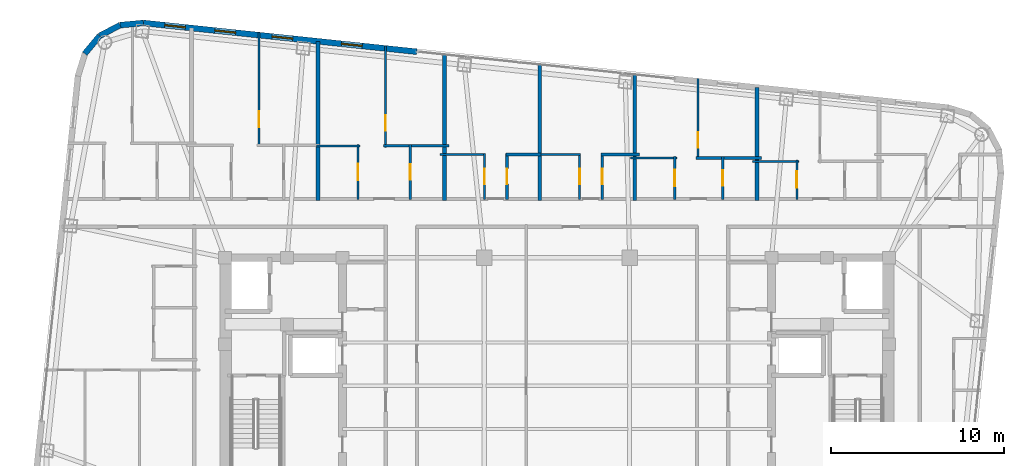
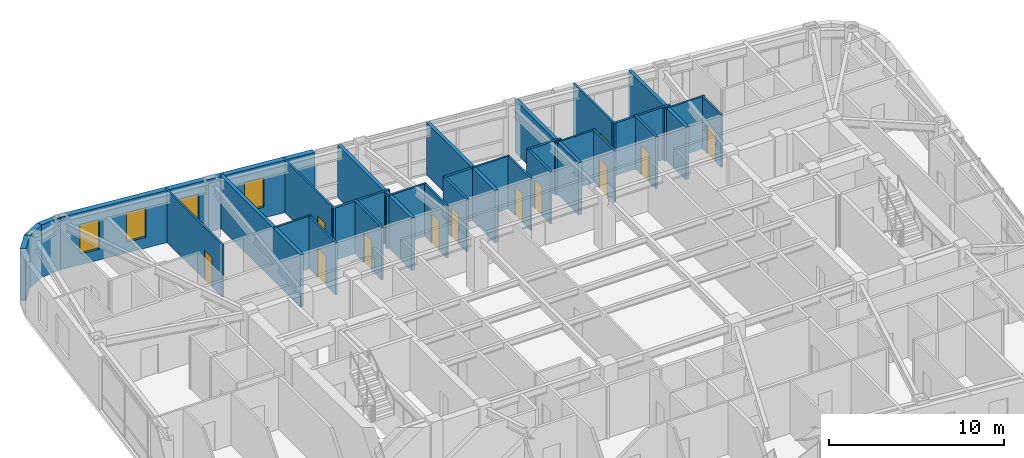
# One storey, part 20 of 23: 30 walls, 12 doors, 4 windows, 16 openings.
"""IFC4 building model written with IfcOpenShell, lengths in metres."""

from ifc_helpers import new_model, si_unit, direction, frame, frame_2d, origin, place, context, subcontext, project, spatial, rectangle, extrude, material, layer, layer_set, type_object, element, fill, save


model = new_model("IFC4")

# Units and contexts
model_context = context("Model", 3, precision=1e-05, world=origin(), true_north=direction((0.0, 1.0)))
body_context = subcontext(model_context, "Body", "Model", "MODEL_VIEW")
ifc_project = project(units=[si_unit("LENGTHUNIT", "METRE"), si_unit("AREAUNIT", "SQUARE_METRE"), si_unit("VOLUMEUNIT", "CUBIC_METRE"), si_unit("PLANEANGLEUNIT", "RADIAN"), si_unit("MASSUNIT", "GRAM", prefix="KILO")], contexts=[model_context])

# Site, building, storey
site_placement = place(None, origin())
site = spatial("IfcSite", under=ifc_project, at=site_placement, CompositionType="ELEMENT")
building_placement = place(site_placement, origin())
building = spatial("IfcBuilding", under=site, at=building_placement, Name="Voryun Gate Residences", CompositionType="ELEMENT")
storey_placement = place(building_placement, frame((0.0, 0.0, 275.60009765625)))
storey = spatial("IfcBuildingStorey", under=building, at=storey_placement, Name="L68", CompositionType="ELEMENT", Elevation=275.60009765625)

# Walls
ifc_material_1 = material(Name="Charcoal terracotta masonry", Category="masonry")
ifc_layer_1 = layer(ifc_material_1, 0.340087890625, Name="W_EXT_TERRACOTTA_340")
ifc_layer_set_1 = layer_set([ifc_layer_1], Name="Charcoal terracotta masonry")
wall_type_1 = type_object("IfcWallType", Name="W_EXT_TERRACOTTA_340", PredefinedType="ELEMENTEDWALL", material=ifc_layer_set_1)
wall_1_placement = place(storey_placement, frame((-27.29443359375, 19.19775390625, 0.0), z_axis=(0.0, 0.0, 1.0), x_axis=(0.639501603217, 0.768789762863, 0.0)))
element("IfcWall", 1, at=wall_1_placement, inside=storey, type_object=wall_type_1, Name="Exterior wall WEXT-L68-08", PredefinedType="ELEMENTEDWALL", context=body_context, shape_type="SweptSolid", body=[
    extrude(rectangle(XDim=1.3369140625, YDim=0.340087890625, at=frame_2d((0.66845703125, 0.0))), origin(), (0.0, 0.0, 1.0), 3.64990234375),
])
wall_2_placement = place(storey_placement, frame((-26.439453125, 20.2255859375, 0.0), z_axis=(0.0, 0.0, 1.0), x_axis=(0.884922182678, 0.465738908193, 0.0)))
element("IfcWall", 2, at=wall_2_placement, inside=storey, type_object=wall_type_1, Name="Exterior wall WEXT-L68-09", PredefinedType="ELEMENTEDWALL", context=body_context, shape_type="SweptSolid", body=[
    extrude(rectangle(XDim=1.337158203125, YDim=0.340087890625, at=frame_2d((0.66845703125, 0.0))), origin(), (0.0, 0.0, 1.0), 3.64990234375),
])
wall_3_placement = place(storey_placement, frame((-25.256103515625, 20.848388671875, 0.0), z_axis=(0.0, 0.0, 1.0), x_axis=(0.995813013343, 0.091413579172, 0.0)))
element("IfcWall", 3, at=wall_3_placement, inside=storey, type_object=wall_type_1, Name="Exterior wall WEXT-L68-10", PredefinedType="ELEMENTEDWALL", context=body_context, shape_type="SweptSolid", body=[
    extrude(rectangle(XDim=1.35400390625, YDim=0.340087890625, at=frame_2d((0.677001953125, 0.0))), origin(), (0.0, 0.0, 1.0), 3.64990234375),
])

# Wall, openings, windows
wall_4_placement = place(storey_placement, frame((-23.90771484375, 20.97216796875, 0.0), z_axis=(0.0, 0.0, 1.0), x_axis=(0.994521594531, -0.104531325504, 0.0)))
wall_4 = element("IfcWall", 4, at=wall_4_placement, inside=storey, type_object=wall_type_1, Name="Exterior wall WEXT-L68-11A", PredefinedType="ELEMENTEDWALL", context=body_context, shape_type="SweptSolid", body=[
    extrude(rectangle(XDim=15.900634765625, YDim=0.340087890625, at=frame_2d((7.9501953125, 0.0))), origin(), (0.0, 0.0, 1.0), 3.64990234375),
])
opening_1_placement = place(wall_4_placement, frame((1.242919921875, 0.0, 0.75)))
opening_1 = element("IfcOpeningElement", 5, at=opening_1_placement, cuts=wall_4, Name="Opening WN6", PredefinedType="OPENING", context=body_context, shape_type="SweptSolid", body=[
    extrude(rectangle(XDim=1.199951171875, YDim=2.050048828125, at=frame_2d((0.60009765625, 1.02490234375))), frame((0.0, 0.179931640625, 0.0), z_axis=(0.0, -1.0, 0.0), x_axis=(1.0, 0.0, 0.0)), (0.0, 0.0, 1.0), 0.360107421875),
])
opening_2_placement = place(wall_4_placement, frame((4.156982421875, 0.0, 0.75)))
opening_2 = element("IfcOpeningElement", 6, at=opening_2_placement, cuts=wall_4, Name="Opening WN6", PredefinedType="OPENING", context=body_context, shape_type="SweptSolid", body=[
    extrude(rectangle(XDim=1.199951171875, YDim=2.050048828125, at=frame_2d((0.60009765625, 1.02490234375))), frame((0.0, 0.179931640625, 0.0), z_axis=(0.0, -1.0, 0.0), x_axis=(1.0, 0.0, 0.0)), (0.0, 0.0, 1.0), 0.360107421875),
])
opening_3_placement = place(wall_4_placement, frame((7.475341796875, 0.0, 0.75)))
opening_3 = element("IfcOpeningElement", 7, at=opening_3_placement, cuts=wall_4, Name="Opening WN6", PredefinedType="OPENING", context=body_context, shape_type="SweptSolid", body=[
    extrude(rectangle(XDim=1.199951171875, YDim=2.050048828125, at=frame_2d((0.60009765625, 1.02490234375))), frame((0.0, 0.179931640625, 0.0), z_axis=(0.0, -1.0, 0.0), x_axis=(1.0, 0.0, 0.0)), (0.0, 0.0, 1.0), 0.360107421875),
])
opening_4_placement = place(wall_4_placement, frame((11.513427734375, 0.0, 0.75)))
opening_4 = element("IfcOpeningElement", 8, at=opening_4_placement, cuts=wall_4, Name="Opening WN6", PredefinedType="OPENING", context=body_context, shape_type="SweptSolid", body=[
    extrude(rectangle(XDim=1.199951171875, YDim=2.050048828125, at=frame_2d((0.60009765625, 1.02490234375))), frame((0.0, 0.179931640625, 0.0), z_axis=(0.0, -1.0, 0.0), x_axis=(1.0, 0.0, 0.0)), (0.0, 0.0, 1.0), 0.360107421875),
])
ifc_material_2 = material(Name="Laminated low-E glass", Category="glass")
window_type = type_object("IfcWindowType", Name="WN_POD_SLOT_1200", PartitioningType="SINGLE_PANEL", PredefinedType="WINDOW", material=ifc_material_2)
window_1_placement = place(opening_1_placement, origin())
window_1 = element("IfcWindow", 9, at=window_1_placement, inside=storey, type_object=window_type, Name="Window WN-L68-DWFIX-02", OverallHeight=2.050048828125, OverallWidth=1.199951171875, PartitioningType="SINGLE_PANEL", PredefinedType="WINDOW", context=body_context, shape_type="SweptSolid", body=[
    extrude(rectangle(XDim=1.199951171875, YDim=2.050048828125, at=frame_2d((0.60009765625, 1.02490234375))), frame((0.0, 0.030029296875, 0.0), z_axis=(0.0, -1.0, 0.0), x_axis=(1.0, 0.0, 0.0)), (0.0, 0.0, 1.0), 0.06005859375),
])
fill(opening_1, window_1)
window_2_placement = place(opening_2_placement, origin())
window_2 = element("IfcWindow", 10, at=window_2_placement, inside=storey, type_object=window_type, Name="Window WN-L68-DWFIX-03", OverallHeight=2.050048828125, OverallWidth=1.199951171875, PartitioningType="SINGLE_PANEL", PredefinedType="WINDOW", context=body_context, shape_type="SweptSolid", body=[
    extrude(rectangle(XDim=1.199951171875, YDim=2.050048828125, at=frame_2d((0.60009765625, 1.02490234375))), frame((0.0, 0.030029296875, 0.0), z_axis=(0.0, -1.0, 0.0), x_axis=(1.0, 0.0, 0.0)), (0.0, 0.0, 1.0), 0.06005859375),
])
fill(opening_2, window_2)
window_3_placement = place(opening_3_placement, origin())
window_3 = element("IfcWindow", 11, at=window_3_placement, inside=storey, type_object=window_type, Name="Window WN-L68-DWFIX-04", OverallHeight=2.050048828125, OverallWidth=1.199951171875, PartitioningType="SINGLE_PANEL", PredefinedType="WINDOW", context=body_context, shape_type="SweptSolid", body=[
    extrude(rectangle(XDim=1.199951171875, YDim=2.050048828125, at=frame_2d((0.60009765625, 1.02490234375))), frame((0.0, 0.030029296875, 0.0), z_axis=(0.0, -1.0, 0.0), x_axis=(1.0, 0.0, 0.0)), (0.0, 0.0, 1.0), 0.06005859375),
])
fill(opening_3, window_3)
window_4_placement = place(opening_4_placement, origin())
window_4 = element("IfcWindow", 12, at=window_4_placement, inside=storey, type_object=window_type, Name="Window WN-L68-DWFIX-05", OverallHeight=2.050048828125, OverallWidth=1.199951171875, PartitioningType="SINGLE_PANEL", PredefinedType="WINDOW", context=body_context, shape_type="SweptSolid", body=[
    extrude(rectangle(XDim=1.199951171875, YDim=2.050048828125, at=frame_2d((0.60009765625, 1.02490234375))), frame((0.0, 0.030029296875, 0.0), z_axis=(0.0, -1.0, 0.0), x_axis=(1.0, 0.0, 0.0)), (0.0, 0.0, 1.0), 0.06005859375),
])
fill(opening_4, window_4)

# Walls
ifc_material_3 = material(Name="Concrete C40/50", Category="concrete")
ifc_layer_2 = layer(ifc_material_3, 0.219970703125, Name="W_PARTY_ACOUSTIC_220")
ifc_layer_set_2 = layer_set([ifc_layer_2], Name="Concrete C40/50")
wall_type_2 = type_object("IfcWallType", Name="W_PARTY_ACOUSTIC_220", PredefinedType="PARTITIONING", material=ifc_layer_set_2)
wall_5_placement = place(storey_placement, frame((-13.81591796875, 10.719970703125, 0.0), z_axis=(0.0, 0.0, 1.0), x_axis=(0.0, 1.0, 0.0)))
element("IfcWall", 13, at=wall_5_placement, inside=storey, type_object=wall_type_2, Name="Partition wall WP-L68-NPTY-2", PredefinedType="PARTITIONING", context=body_context, shape_type="SweptSolid", body=[
    extrude(rectangle(XDim=9.191650390625, YDim=0.219970703125, at=frame_2d((4.595703125, 0.0))), origin(), (0.0, 0.0, 1.0), 3.64990234375),
])
wall_6_placement = place(storey_placement, frame((-6.5, 10.719970703125, 0.0), z_axis=(0.0, 0.0, 1.0), x_axis=(0.0, 1.0, 0.0)))
element("IfcWall", 14, at=wall_6_placement, inside=storey, type_object=wall_type_2, Name="Partition wall WP-L68-NPTY-3", PredefinedType="PARTITIONING", context=body_context, shape_type="SweptSolid", body=[
    extrude(rectangle(XDim=8.422607421875, YDim=0.219970703125, at=frame_2d((4.21142578125, 0.0))), origin(), (0.0, 0.0, 1.0), 3.64990234375),
])
wall_7_placement = place(storey_placement, frame((-1.0, 10.719970703125, 0.0), z_axis=(0.0, 0.0, 1.0), x_axis=(0.0, 1.0, 0.0)))
element("IfcWall", 15, at=wall_7_placement, inside=storey, type_object=wall_type_2, Name="Partition wall WP-L68-NPTY-4", PredefinedType="PARTITIONING", context=body_context, shape_type="SweptSolid", body=[
    extrude(rectangle(XDim=7.844482421875, YDim=0.219970703125, at=frame_2d((3.92236328125, 0.0))), origin(), (0.0, 0.0, 1.0), 3.64990234375),
])
wall_8_placement = place(storey_placement, frame((4.5, 10.719970703125, 0.0), z_axis=(0.0, 0.0, 1.0), x_axis=(0.0, 1.0, 0.0)))
element("IfcWall", 16, at=wall_8_placement, inside=storey, type_object=wall_type_2, Name="Partition wall WP-L68-NPTY-5", PredefinedType="PARTITIONING", context=body_context, shape_type="SweptSolid", body=[
    extrude(rectangle(XDim=7.266357421875, YDim=0.219970703125, at=frame_2d((3.63330078125, 0.0))), origin(), (0.0, 0.0, 1.0), 3.64990234375),
])
wall_9_placement = place(storey_placement, frame((11.55908203125, 10.719970703125, 0.0), z_axis=(0.0, 0.0, 1.0), x_axis=(0.0, 1.0, 0.0)))
element("IfcWall", 17, at=wall_9_placement, inside=storey, type_object=wall_type_2, Name="Partition wall WP-L68-NPTY-6", PredefinedType="PARTITIONING", context=body_context, shape_type="SweptSolid", body=[
    extrude(rectangle(XDim=6.5244140625, YDim=0.219970703125, at=frame_2d((3.26220703125, 0.0))), origin(), (0.0, 0.0, 1.0), 3.64990234375),
])

# Wall, opening, door
ifc_material_4 = material(Name="Gypsum acoustic partition")
ifc_layer_3 = layer(ifc_material_4, 0.125, Name="W_UNIT_PART_125")
ifc_layer_set_3 = layer_set([ifc_layer_3], Name="Gypsum acoustic partition")
wall_type_3 = type_object("IfcWallType", Name="W_UNIT_PART_125", PredefinedType="PARTITIONING", material=ifc_layer_set_3)
wall_10_placement = place(storey_placement, frame((-17.22607421875, 13.822021484375, 0.0), z_axis=(0.0, 0.0, 1.0), x_axis=(0.0, 1.0, 0.0)))
wall_10 = element("IfcWall", 18, at=wall_10_placement, inside=storey, type_object=wall_type_3, Name="Partition wall WP-L68-N2-OVR", PredefinedType="PARTITIONING", context=body_context, shape_type="SweptSolid", body=[
    extrude(rectangle(XDim=6.5986328125, YDim=0.125, at=frame_2d((3.29931640625, 0.0))), origin(), (0.0, 0.0, 1.0), 3.64990234375),
])
opening_5_placement = place(wall_10_placement, frame((1.1337890625, 0.0, 0.0)))
opening_5 = element("IfcOpeningElement", 19, at=opening_5_placement, cuts=wall_10, Name="Opening D-INT-2", PredefinedType="OPENING", context=body_context, shape_type="SweptSolid", body=[
    extrude(rectangle(XDim=0.89990234375, YDim=2.050048828125, at=frame_2d((0.449951171875, 1.02490234375))), frame((0.0, 0.072509765625, 0.0), z_axis=(0.0, -1.0, 0.0), x_axis=(1.0, 0.0, 0.0)), (0.0, 0.0, 1.0), 0.14501953125),
])
ifc_material_5 = material(Name="Architectural oak veneer")
door_type_1 = type_object("IfcDoorType", Name="DR_INT_BATH_900", OperationType="NOTDEFINED", PredefinedType="DOOR", material=ifc_material_5)
door_1_placement = place(opening_5_placement, origin())
door_1 = element("IfcDoor", 20, at=door_1_placement, inside=storey, type_object=door_type_1, Name="Door DR-L68-N2-DMB", OperationType="SINGLE_SWING_RIGHT", OverallHeight=2.050048828125, OverallWidth=0.89990234375, PredefinedType="DOOR", context=body_context, shape_type="SweptSolid", body=[
    extrude(rectangle(XDim=0.89990234375, YDim=2.050048828125, at=frame_2d((0.449951171875, 1.02490234375))), frame((0.0, 0.02490234375, 0.0), z_axis=(0.0, -1.0, 0.0), x_axis=(1.0, 0.0, 0.0)), (0.0, 0.0, 1.0), 0.050048828125),
])
fill(opening_5, door_1)

wall_11_placement = place(storey_placement, frame((-9.909912109375, 13.785888671875, 0.0), z_axis=(0.0, 0.0, 1.0), x_axis=(0.0, 1.0, 0.0)))
wall_11 = element("IfcWall", 21, at=wall_11_placement, inside=storey, type_object=wall_type_3, Name="Partition wall WP-L68-N3-OVR", PredefinedType="PARTITIONING", context=body_context, shape_type="SweptSolid", body=[
    extrude(rectangle(XDim=5.865966796875, YDim=0.125, at=frame_2d((2.93310546875, 0.0))), origin(), (0.0, 0.0, 1.0), 3.64990234375),
])
opening_6_placement = place(wall_11_placement, frame((0.957763671875, 0.0, 0.0)))
opening_6 = element("IfcOpeningElement", 22, at=opening_6_placement, cuts=wall_11, Name="Opening D-INT-2", PredefinedType="OPENING", context=body_context, shape_type="SweptSolid", body=[
    extrude(rectangle(XDim=0.89990234375, YDim=2.050048828125, at=frame_2d((0.449951171875, 1.02490234375))), frame((0.0, 0.072509765625, 0.0), z_axis=(0.0, -1.0, 0.0), x_axis=(1.0, 0.0, 0.0)), (0.0, 0.0, 1.0), 0.14501953125),
])
door_2_placement = place(opening_6_placement, origin())
door_2 = element("IfcDoor", 23, at=door_2_placement, inside=storey, type_object=door_type_1, Name="Door DR-L68-N3-DMB", OperationType="SINGLE_SWING_RIGHT", OverallHeight=2.050048828125, OverallWidth=0.89990234375, PredefinedType="DOOR", context=body_context, shape_type="SweptSolid", body=[
    extrude(rectangle(XDim=0.89990234375, YDim=2.050048828125, at=frame_2d((0.449951171875, 1.02490234375))), frame((0.0, 0.02490234375, 0.0), z_axis=(0.0, -1.0, 0.0), x_axis=(1.0, 0.0, 0.0)), (0.0, 0.0, 1.0), 0.050048828125),
])
fill(opening_6, door_2)

wall_12_placement = place(storey_placement, frame((-11.506103515625, 10.780029296875, 0.0), z_axis=(0.0, 0.0, 1.0), x_axis=(0.0, 1.0, 0.0)))
wall_12 = element("IfcWall", 24, at=wall_12_placement, inside=storey, type_object=wall_type_3, Name="Partition wall WP-L68-N3-IVK", PredefinedType="PARTITIONING", context=body_context, shape_type="SweptSolid", body=[
    extrude(rectangle(XDim=3.166015625, YDim=0.125, at=frame_2d((1.5830078125, 0.0))), origin(), (0.0, 0.0, 1.0), 3.64990234375),
])
opening_7_placement = place(wall_12_placement, frame((1.10791015625, 0.0, 0.0)))
opening_7 = element("IfcOpeningElement", 25, at=opening_7_placement, cuts=wall_12, Name="Opening D-INT-1", PredefinedType="OPENING", context=body_context, shape_type="SweptSolid", body=[
    extrude(rectangle(XDim=0.949951171875, YDim=2.050048828125, at=frame_2d((0.47509765625, 1.02490234375))), frame((0.0, 0.072509765625, 0.0), z_axis=(0.0, -1.0, 0.0), x_axis=(1.0, 0.0, 0.0)), (0.0, 0.0, 1.0), 0.14501953125),
])
ifc_material_6 = material(Name="Architectural oak veneer")
door_type_2 = type_object("IfcDoorType", Name="DR_INT_ROOM_950", OperationType="NOTDEFINED", PredefinedType="DOOR", material=ifc_material_6)
door_3_placement = place(opening_7_placement, origin())
door_3 = element("IfcDoor", 26, at=door_3_placement, inside=storey, type_object=door_type_2, Name="Door DR-L68-N3-DK", OperationType="SINGLE_SWING_LEFT", OverallHeight=2.050048828125, OverallWidth=0.949951171875, PredefinedType="DOOR", context=body_context, shape_type="SweptSolid", body=[
    extrude(rectangle(XDim=0.949951171875, YDim=2.050048828125, at=frame_2d((0.47509765625, 1.02490234375))), frame((0.0, 0.02490234375, 0.0), z_axis=(0.0, -1.0, 0.0), x_axis=(1.0, 0.0, 0.0)), (0.0, 0.0, 1.0), 0.050048828125),
])
fill(opening_7, door_3)

# Wall
wall_13_placement = place(storey_placement, frame((-13.89111328125, 13.865966796875, 0.0), z_axis=(0.0, 0.0, 1.0), x_axis=(1.0, 0.0, 0.0)))
element("IfcWall", 27, at=wall_13_placement, inside=storey, type_object=wall_type_3, Name="Partition wall WP-L68-N3-HZK", PredefinedType="PARTITIONING", context=body_context, shape_type="SweptSolid", body=[
    extrude(rectangle(XDim=2.505126953125, YDim=0.125, at=frame_2d((1.25244140625, 0.0))), origin(), (0.0, 0.0, 1.0), 3.64990234375),
])

# Wall, opening, door
wall_14_placement = place(storey_placement, frame((-4.18994140625, 10.780029296875, 0.0), z_axis=(0.0, 0.0, 1.0), x_axis=(0.0, 1.0, 0.0)))
wall_14 = element("IfcWall", 28, at=wall_14_placement, inside=storey, type_object=wall_type_3, Name="Partition wall WP-L68-N4-CVK", PredefinedType="PARTITIONING", context=body_context, shape_type="SweptSolid", body=[
    extrude(rectangle(XDim=2.64990234375, YDim=0.125, at=frame_2d((1.324951171875, 0.0))), origin(), (0.0, 0.0, 1.0), 3.64990234375),
])
opening_8_placement = place(wall_14_placement, frame((0.875, 0.0, 0.0)))
opening_8 = element("IfcOpeningElement", 29, at=opening_8_placement, cuts=wall_14, Name="Opening D-INT-2", PredefinedType="OPENING", context=body_context, shape_type="SweptSolid", body=[
    extrude(rectangle(XDim=0.89990234375, YDim=2.050048828125, at=frame_2d((0.449951171875, 1.02490234375))), frame((0.0, 0.072509765625, 0.0), z_axis=(0.0, -1.0, 0.0), x_axis=(1.0, 0.0, 0.0)), (0.0, 0.0, 1.0), 0.14501953125),
])
door_4_placement = place(opening_8_placement, origin())
door_4 = element("IfcDoor", 30, at=door_4_placement, inside=storey, type_object=door_type_1, Name="Door DR-L68-N4-DK", OperationType="SINGLE_SWING_LEFT", OverallHeight=2.050048828125, OverallWidth=0.89990234375, PredefinedType="DOOR", context=body_context, shape_type="SweptSolid", body=[
    extrude(rectangle(XDim=0.89990234375, YDim=2.050048828125, at=frame_2d((0.449951171875, 1.02490234375))), frame((0.0, 0.02490234375, 0.0), z_axis=(0.0, -1.0, 0.0), x_axis=(1.0, 0.0, 0.0)), (0.0, 0.0, 1.0), 0.050048828125),
])
fill(opening_8, door_4)

# Wall
wall_15_placement = place(storey_placement, frame((-6.760009765625, 13.3701171875, 0.0), z_axis=(0.0, 0.0, 1.0), x_axis=(1.0, 0.0, 0.0)))
element("IfcWall", 31, at=wall_15_placement, inside=storey, type_object=wall_type_3, Name="Partition wall WP-L68-N4-CHK", PredefinedType="PARTITIONING", context=body_context, shape_type="SweptSolid", body=[
    extrude(rectangle(XDim=2.630126953125, YDim=0.125, at=frame_2d((1.31494140625, 0.0))), origin(), (0.0, 0.0, 1.0), 3.64990234375),
])

# Wall, opening, door
wall_16_placement = place(storey_placement, frame((1.31005859375, 10.780029296875, 0.0), z_axis=(0.0, 0.0, 1.0), x_axis=(0.0, 1.0, 0.0)))
wall_16 = element("IfcWall", 32, at=wall_16_placement, inside=storey, type_object=wall_type_3, Name="Partition wall WP-L68-N5-CVK", PredefinedType="PARTITIONING", context=body_context, shape_type="SweptSolid", body=[
    extrude(rectangle(XDim=2.64990234375, YDim=0.125, at=frame_2d((1.324951171875, 0.0))), origin(), (0.0, 0.0, 1.0), 3.64990234375),
])
opening_9_placement = place(wall_16_placement, frame((0.875, 0.0, 0.0)))
opening_9 = element("IfcOpeningElement", 33, at=opening_9_placement, cuts=wall_16, Name="Opening D-INT-2", PredefinedType="OPENING", context=body_context, shape_type="SweptSolid", body=[
    extrude(rectangle(XDim=0.89990234375, YDim=2.050048828125, at=frame_2d((0.449951171875, 1.02490234375))), frame((0.0, 0.072509765625, 0.0), z_axis=(0.0, -1.0, 0.0), x_axis=(1.0, 0.0, 0.0)), (0.0, 0.0, 1.0), 0.14501953125),
])
door_5_placement = place(opening_9_placement, origin())
door_5 = element("IfcDoor", 34, at=door_5_placement, inside=storey, type_object=door_type_1, Name="Door DR-L68-N5-DK", OperationType="SINGLE_SWING_LEFT", OverallHeight=2.050048828125, OverallWidth=0.89990234375, PredefinedType="DOOR", context=body_context, shape_type="SweptSolid", body=[
    extrude(rectangle(XDim=0.89990234375, YDim=2.050048828125, at=frame_2d((0.449951171875, 1.02490234375))), frame((0.0, 0.02490234375, 0.0), z_axis=(0.0, -1.0, 0.0), x_axis=(1.0, 0.0, 0.0)), (0.0, 0.0, 1.0), 0.050048828125),
])
fill(opening_9, door_5)

# Wall
wall_17_placement = place(storey_placement, frame((-1.074951171875, 13.3701171875, 0.0), z_axis=(0.0, 0.0, 1.0), x_axis=(1.0, 0.0, 0.0)))
element("IfcWall", 35, at=wall_17_placement, inside=storey, type_object=wall_type_3, Name="Partition wall WP-L68-N5-CHK", PredefinedType="PARTITIONING", context=body_context, shape_type="SweptSolid", body=[
    extrude(rectangle(XDim=2.445068359375, YDim=0.125, at=frame_2d((1.22265625, 0.0))), origin(), (0.0, 0.0, 1.0), 3.64990234375),
])

# Wall, opening, door
wall_18_placement = place(storey_placement, frame((8.14892578125, 13.0869140625, 0.0), z_axis=(0.0, 0.0, 1.0), x_axis=(0.0, 1.0, 0.0)))
wall_18 = element("IfcWall", 36, at=wall_18_placement, inside=storey, type_object=wall_type_3, Name="Partition wall WP-L68-N6-OVR", PredefinedType="PARTITIONING", context=body_context, shape_type="SweptSolid", body=[
    extrude(rectangle(XDim=4.666748046875, YDim=0.125, at=frame_2d((2.33349609375, 0.0))), origin(), (0.0, 0.0, 1.0), 3.64990234375),
])
opening_10_placement = place(wall_18_placement, frame((0.669921875, 0.0, 0.0)))
opening_10 = element("IfcOpeningElement", 37, at=opening_10_placement, cuts=wall_18, Name="Opening D-INT-2", PredefinedType="OPENING", context=body_context, shape_type="SweptSolid", body=[
    extrude(rectangle(XDim=0.89990234375, YDim=2.050048828125, at=frame_2d((0.449951171875, 1.02490234375))), frame((0.0, 0.072509765625, 0.0), z_axis=(0.0, -1.0, 0.0), x_axis=(1.0, 0.0, 0.0)), (0.0, 0.0, 1.0), 0.14501953125),
])
door_6_placement = place(opening_10_placement, origin())
door_6 = element("IfcDoor", 38, at=door_6_placement, inside=storey, type_object=door_type_1, Name="Door DR-L68-N6-DMB", OperationType="SINGLE_SWING_RIGHT", OverallHeight=2.050048828125, OverallWidth=0.89990234375, PredefinedType="DOOR", context=body_context, shape_type="SweptSolid", body=[
    extrude(rectangle(XDim=0.89990234375, YDim=2.050048828125, at=frame_2d((0.449951171875, 1.02490234375))), frame((0.0, 0.02490234375, 0.0), z_axis=(0.0, -1.0, 0.0), x_axis=(1.0, 0.0, 0.0)), (0.0, 0.0, 1.0), 0.050048828125),
])
fill(opening_10, door_6)

wall_19_placement = place(storey_placement, frame((6.81005859375, 10.780029296875, 0.0), z_axis=(0.0, 0.0, 1.0), x_axis=(0.0, 1.0, 0.0)))
wall_19 = element("IfcWall", 39, at=wall_19_placement, inside=storey, type_object=wall_type_3, Name="Partition wall WP-L68-N6-IVK", PredefinedType="PARTITIONING", context=body_context, shape_type="SweptSolid", body=[
    extrude(rectangle(XDim=2.467041015625, YDim=0.125, at=frame_2d((1.2333984375, 0.0))), origin(), (0.0, 0.0, 1.0), 3.64990234375),
])
opening_11_placement = place(wall_19_placement, frame((0.758544921875, 0.0, 0.0)))
opening_11 = element("IfcOpeningElement", 40, at=opening_11_placement, cuts=wall_19, Name="Opening D-INT-1", PredefinedType="OPENING", context=body_context, shape_type="SweptSolid", body=[
    extrude(rectangle(XDim=0.949951171875, YDim=2.050048828125, at=frame_2d((0.47509765625, 1.02490234375))), frame((0.0, 0.072509765625, 0.0), z_axis=(0.0, -1.0, 0.0), x_axis=(1.0, 0.0, 0.0)), (0.0, 0.0, 1.0), 0.14501953125),
])
door_7_placement = place(opening_11_placement, origin())
door_7 = element("IfcDoor", 41, at=door_7_placement, inside=storey, type_object=door_type_2, Name="Door DR-L68-N6-DK", OperationType="SINGLE_SWING_LEFT", OverallHeight=2.050048828125, OverallWidth=0.949951171875, PredefinedType="DOOR", context=body_context, shape_type="SweptSolid", body=[
    extrude(rectangle(XDim=0.949951171875, YDim=2.050048828125, at=frame_2d((0.47509765625, 1.02490234375))), frame((0.0, 0.02490234375, 0.0), z_axis=(0.0, -1.0, 0.0), x_axis=(1.0, 0.0, 0.0)), (0.0, 0.0, 1.0), 0.050048828125),
])
fill(opening_11, door_7)

# Wall
wall_20_placement = place(storey_placement, frame((4.239990234375, 13.1669921875, 0.0), z_axis=(0.0, 0.0, 1.0), x_axis=(1.0, 0.0, 0.0)))
element("IfcWall", 42, at=wall_20_placement, inside=storey, type_object=wall_type_3, Name="Partition wall WP-L68-N6-HZK", PredefinedType="PARTITIONING", context=body_context, shape_type="SweptSolid", body=[
    extrude(rectangle(XDim=2.68994140625, YDim=0.125, at=frame_2d((1.344970703125, 0.0))), origin(), (0.0, 0.0, 1.0), 3.64990234375),
])

# Wall, opening, door
wall_21_placement = place(storey_placement, frame((13.868896484375, 10.780029296875, 0.0), z_axis=(0.0, 0.0, 1.0), x_axis=(0.0, 1.0, 0.0)))
wall_21 = element("IfcWall", 43, at=wall_21_placement, inside=storey, type_object=wall_type_3, Name="Partition wall WP-L68-N7-IVK", PredefinedType="PARTITIONING", context=body_context, shape_type="SweptSolid", body=[
    extrude(rectangle(XDim=2.27001953125, YDim=0.125, at=frame_2d((1.135009765625, 0.0))), origin(), (0.0, 0.0, 1.0), 3.64990234375),
])
opening_12_placement = place(wall_21_placement, frame((0.659912109375, 0.0, 0.0)))
opening_12 = element("IfcOpeningElement", 44, at=opening_12_placement, cuts=wall_21, Name="Opening D-INT-1", PredefinedType="OPENING", context=body_context, shape_type="SweptSolid", body=[
    extrude(rectangle(XDim=0.949951171875, YDim=2.050048828125, at=frame_2d((0.47509765625, 1.02490234375))), frame((0.0, 0.072509765625, 0.0), z_axis=(0.0, -1.0, 0.0), x_axis=(1.0, 0.0, 0.0)), (0.0, 0.0, 1.0), 0.14501953125),
])
door_8_placement = place(opening_12_placement, origin())
door_8 = element("IfcDoor", 45, at=door_8_placement, inside=storey, type_object=door_type_2, Name="Door DR-L68-N7-DK", OperationType="SINGLE_SWING_LEFT", OverallHeight=2.050048828125, OverallWidth=0.949951171875, PredefinedType="DOOR", context=body_context, shape_type="SweptSolid", body=[
    extrude(rectangle(XDim=0.949951171875, YDim=2.050048828125, at=frame_2d((0.47509765625, 1.02490234375))), frame((0.0, 0.02490234375, 0.0), z_axis=(0.0, -1.0, 0.0), x_axis=(1.0, 0.0, 0.0)), (0.0, 0.0, 1.0), 0.050048828125),
])
fill(opening_12, door_8)

# Walls
wall_22_placement = place(storey_placement, frame((11.299072265625, 12.969970703125, 0.0), z_axis=(0.0, 0.0, 1.0), x_axis=(1.0, 0.0, 0.0)))
element("IfcWall", 46, at=wall_22_placement, inside=storey, type_object=wall_type_3, Name="Partition wall WP-L68-N7-HZK", PredefinedType="PARTITIONING", context=body_context, shape_type="SweptSolid", body=[
    extrude(rectangle(XDim=2.68994140625, YDim=0.125, at=frame_2d((1.344970703125, 0.0))), origin(), (0.0, 0.0, 1.0), 3.64990234375),
])
ifc_material_7 = material(Name="Gypsum moisture-resistant partition")
ifc_layer_4 = layer(ifc_material_7, 0.14990234375, Name="W_WET_PLUMB_150")
ifc_layer_set_4 = layer_set([ifc_layer_4], Name="Gypsum moisture-resistant partition")
wall_type_4 = type_object("IfcWallType", Name="W_WET_PLUMB_150", PredefinedType="PLUMBINGWALL", material=ifc_layer_set_4)
wall_23_placement = place(storey_placement, frame((-10.030029296875, 13.865966796875, 0.0), z_axis=(0.0, 0.0, 1.0), x_axis=(1.0, 0.0, 0.0)))
element("IfcWall", 47, at=wall_23_placement, inside=storey, type_object=wall_type_4, Name="Partition wall WP-L68-N3-HZB", PredefinedType="PLUMBINGWALL", context=body_context, shape_type="SweptSolid", body=[
    extrude(rectangle(XDim=3.7900390625, YDim=0.14990234375, at=frame_2d((1.89501953125, 0.0))), origin(), (0.0, 0.0, 1.0), 3.64990234375),
])

# Wall, opening, door
wall_24_placement = place(storey_placement, frame((-8.47998046875, 10.780029296875, 0.0), z_axis=(0.0, 0.0, 1.0), x_axis=(0.0, 1.0, 0.0)))
wall_24 = element("IfcWall", 48, at=wall_24_placement, inside=storey, type_object=wall_type_4, Name="Partition wall WP-L68-N3-IVB", PredefinedType="PLUMBINGWALL", context=body_context, shape_type="SweptSolid", body=[
    extrude(rectangle(XDim=3.166015625, YDim=0.14990234375, at=frame_2d((1.5830078125, 0.0))), origin(), (0.0, 0.0, 1.0), 3.64990234375),
])
opening_13_placement = place(wall_24_placement, frame((1.133056640625, 0.0, 0.0)))
opening_13 = element("IfcOpeningElement", 49, at=opening_13_placement, cuts=wall_24, Name="Opening D-INT-2", PredefinedType="OPENING", context=body_context, shape_type="SweptSolid", body=[
    extrude(rectangle(XDim=0.89990234375, YDim=2.050048828125, at=frame_2d((0.449951171875, 1.02490234375))), frame((0.0, 0.0849609375, 0.0), z_axis=(0.0, -1.0, 0.0), x_axis=(1.0, 0.0, 0.0)), (0.0, 0.0, 1.0), 0.169921875),
])
door_9_placement = place(opening_13_placement, origin())
door_9 = element("IfcDoor", 50, at=door_9_placement, inside=storey, type_object=door_type_1, Name="Door DR-L68-N3-DB", OperationType="SINGLE_SWING_RIGHT", OverallHeight=2.050048828125, OverallWidth=0.89990234375, PredefinedType="DOOR", context=body_context, shape_type="SweptSolid", body=[
    extrude(rectangle(XDim=0.89990234375, YDim=2.050048828125, at=frame_2d((0.449951171875, 1.02490234375))), frame((0.0, 0.02490234375, 0.0), z_axis=(0.0, -1.0, 0.0), x_axis=(1.0, 0.0, 0.0)), (0.0, 0.0, 1.0), 0.050048828125),
])
fill(opening_13, door_9)

wall_25_placement = place(storey_placement, frame((-2.888916015625, 10.780029296875, 0.0), z_axis=(0.0, 0.0, 1.0), x_axis=(0.0, 1.0, 0.0)))
wall_25 = element("IfcWall", 51, at=wall_25_placement, inside=storey, type_object=wall_type_4, Name="Partition wall WP-L68-N4-CVB", PredefinedType="PLUMBINGWALL", context=body_context, shape_type="SweptSolid", body=[
    extrude(rectangle(XDim=2.64990234375, YDim=0.14990234375, at=frame_2d((1.324951171875, 0.0))), origin(), (0.0, 0.0, 1.0), 3.64990234375),
])
opening_14_placement = place(wall_25_placement, frame((0.875, 0.0, 0.0)))
opening_14 = element("IfcOpeningElement", 52, at=opening_14_placement, cuts=wall_25, Name="Opening D-INT-2", PredefinedType="OPENING", context=body_context, shape_type="SweptSolid", body=[
    extrude(rectangle(XDim=0.89990234375, YDim=2.050048828125, at=frame_2d((0.449951171875, 1.02490234375))), frame((0.0, 0.0849609375, 0.0), z_axis=(0.0, -1.0, 0.0), x_axis=(1.0, 0.0, 0.0)), (0.0, 0.0, 1.0), 0.169921875),
])
door_10_placement = place(opening_14_placement, origin())
door_10 = element("IfcDoor", 53, at=door_10_placement, inside=storey, type_object=door_type_1, Name="Door DR-L68-N4-DB", OperationType="SINGLE_SWING_RIGHT", OverallHeight=2.050048828125, OverallWidth=0.89990234375, PredefinedType="DOOR", context=body_context, shape_type="SweptSolid", body=[
    extrude(rectangle(XDim=0.89990234375, YDim=2.050048828125, at=frame_2d((0.449951171875, 1.02490234375))), frame((0.0, 0.02490234375, 0.0), z_axis=(0.0, -1.0, 0.0), x_axis=(1.0, 0.0, 0.0)), (0.0, 0.0, 1.0), 0.050048828125),
])
fill(opening_14, door_10)

# Wall
wall_26_placement = place(storey_placement, frame((-2.948974609375, 13.3701171875, 0.0), z_axis=(0.0, 0.0, 1.0), x_axis=(1.0, 0.0, 0.0)))
element("IfcWall", 54, at=wall_26_placement, inside=storey, type_object=wall_type_4, Name="Partition wall WP-L68-N4-CHB", PredefinedType="PLUMBINGWALL", context=body_context, shape_type="SweptSolid", body=[
    extrude(rectangle(XDim=2.02392578125, YDim=0.14990234375, at=frame_2d((1.011962890625, 0.0))), origin(), (0.0, 0.0, 1.0), 3.64990234375),
])

# Wall, opening, door
wall_27_placement = place(storey_placement, frame((2.611083984375, 10.780029296875, 0.0), z_axis=(0.0, 0.0, 1.0), x_axis=(0.0, 1.0, 0.0)))
wall_27 = element("IfcWall", 55, at=wall_27_placement, inside=storey, type_object=wall_type_4, Name="Partition wall WP-L68-N5-CVB", PredefinedType="PLUMBINGWALL", context=body_context, shape_type="SweptSolid", body=[
    extrude(rectangle(XDim=2.64990234375, YDim=0.14990234375, at=frame_2d((1.324951171875, 0.0))), origin(), (0.0, 0.0, 1.0), 3.64990234375),
])
opening_15_placement = place(wall_27_placement, frame((0.875, 0.0, 0.0)))
opening_15 = element("IfcOpeningElement", 56, at=opening_15_placement, cuts=wall_27, Name="Opening D-INT-2", PredefinedType="OPENING", context=body_context, shape_type="SweptSolid", body=[
    extrude(rectangle(XDim=0.89990234375, YDim=2.050048828125, at=frame_2d((0.449951171875, 1.02490234375))), frame((0.0, 0.0849609375, 0.0), z_axis=(0.0, -1.0, 0.0), x_axis=(1.0, 0.0, 0.0)), (0.0, 0.0, 1.0), 0.169921875),
])
door_11_placement = place(opening_15_placement, origin())
door_11 = element("IfcDoor", 57, at=door_11_placement, inside=storey, type_object=door_type_1, Name="Door DR-L68-N5-DB", OperationType="SINGLE_SWING_RIGHT", OverallHeight=2.050048828125, OverallWidth=0.89990234375, PredefinedType="DOOR", context=body_context, shape_type="SweptSolid", body=[
    extrude(rectangle(XDim=0.89990234375, YDim=2.050048828125, at=frame_2d((0.449951171875, 1.02490234375))), frame((0.0, 0.02490234375, 0.0), z_axis=(0.0, -1.0, 0.0), x_axis=(1.0, 0.0, 0.0)), (0.0, 0.0, 1.0), 0.050048828125),
])
fill(opening_15, door_11)

# Walls
wall_28_placement = place(storey_placement, frame((2.551025390625, 13.3701171875, 0.0), z_axis=(0.0, 0.0, 1.0), x_axis=(1.0, 0.0, 0.0)))
element("IfcWall", 58, at=wall_28_placement, inside=storey, type_object=wall_type_4, Name="Partition wall WP-L68-N5-CHB", PredefinedType="PLUMBINGWALL", context=body_context, shape_type="SweptSolid", body=[
    extrude(rectangle(XDim=2.208984375, YDim=0.14990234375, at=frame_2d((1.1044921875, 0.0))), origin(), (0.0, 0.0, 1.0), 3.64990234375),
])
wall_29_placement = place(storey_placement, frame((8.029052734375, 13.1669921875, 0.0), z_axis=(0.0, 0.0, 1.0), x_axis=(1.0, 0.0, 0.0)))
element("IfcWall", 59, at=wall_29_placement, inside=storey, type_object=wall_type_4, Name="Partition wall WP-L68-N6-HZB", PredefinedType="PLUMBINGWALL", context=body_context, shape_type="SweptSolid", body=[
    extrude(rectangle(XDim=3.7900390625, YDim=0.14990234375, at=frame_2d((1.89501953125, 0.0))), origin(), (0.0, 0.0, 1.0), 3.64990234375),
])

# Wall, opening, door
wall_30_placement = place(storey_placement, frame((9.5791015625, 10.780029296875, 0.0), z_axis=(0.0, 0.0, 1.0), x_axis=(0.0, 1.0, 0.0)))
wall_30 = element("IfcWall", 60, at=wall_30_placement, inside=storey, type_object=wall_type_4, Name="Partition wall WP-L68-N6-IVB", PredefinedType="PLUMBINGWALL", context=body_context, shape_type="SweptSolid", body=[
    extrude(rectangle(XDim=2.467041015625, YDim=0.14990234375, at=frame_2d((1.2333984375, 0.0))), origin(), (0.0, 0.0, 1.0), 3.64990234375),
])
opening_16_placement = place(wall_30_placement, frame((0.783447265625, 0.0, 0.0)))
opening_16 = element("IfcOpeningElement", 61, at=opening_16_placement, cuts=wall_30, Name="Opening D-INT-2", PredefinedType="OPENING", context=body_context, shape_type="SweptSolid", body=[
    extrude(rectangle(XDim=0.89990234375, YDim=2.050048828125, at=frame_2d((0.449951171875, 1.02490234375))), frame((0.0, 0.0849609375, 0.0), z_axis=(0.0, -1.0, 0.0), x_axis=(1.0, 0.0, 0.0)), (0.0, 0.0, 1.0), 0.169921875),
])
door_12_placement = place(opening_16_placement, origin())
door_12 = element("IfcDoor", 62, at=door_12_placement, inside=storey, type_object=door_type_1, Name="Door DR-L68-N6-DB", OperationType="SINGLE_SWING_RIGHT", OverallHeight=2.050048828125, OverallWidth=0.89990234375, PredefinedType="DOOR", context=body_context, shape_type="SweptSolid", body=[
    extrude(rectangle(XDim=0.89990234375, YDim=2.050048828125, at=frame_2d((0.449951171875, 1.02490234375))), frame((0.0, 0.02490234375, 0.0), z_axis=(0.0, -1.0, 0.0), x_axis=(1.0, 0.0, 0.0)), (0.0, 0.0, 1.0), 0.050048828125),
])
fill(opening_16, door_12)

save(model, "model.ifc")
